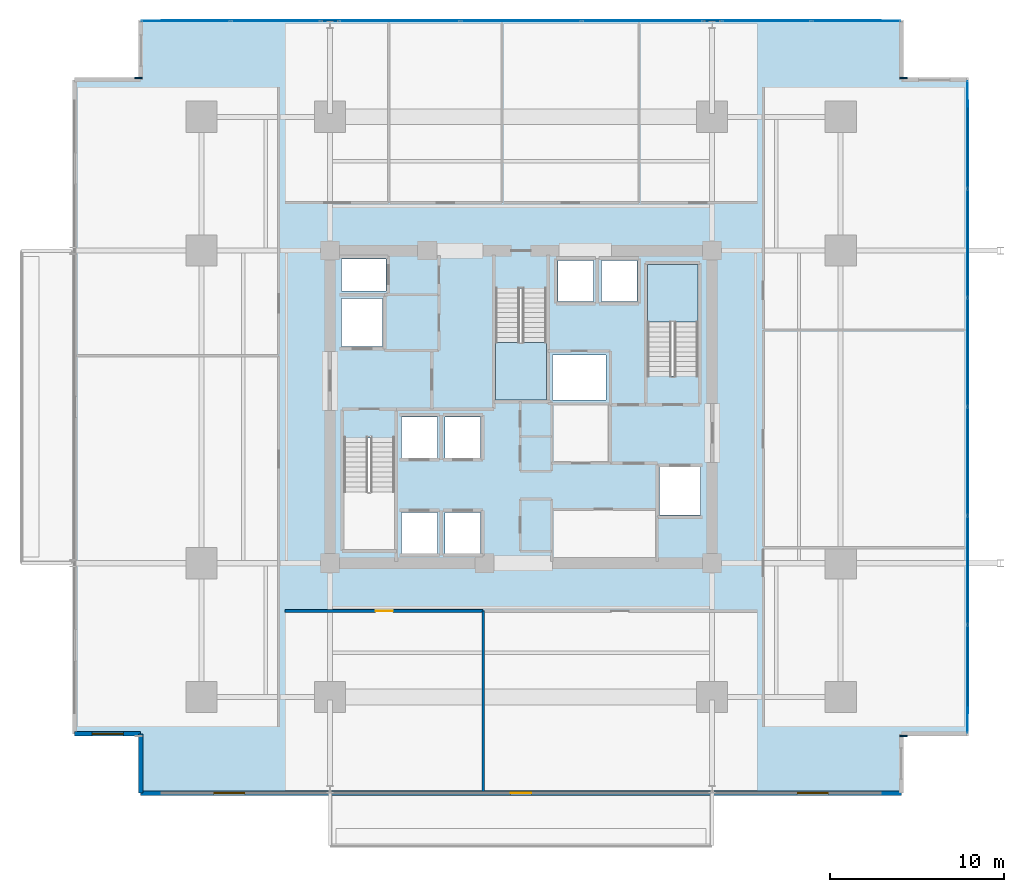
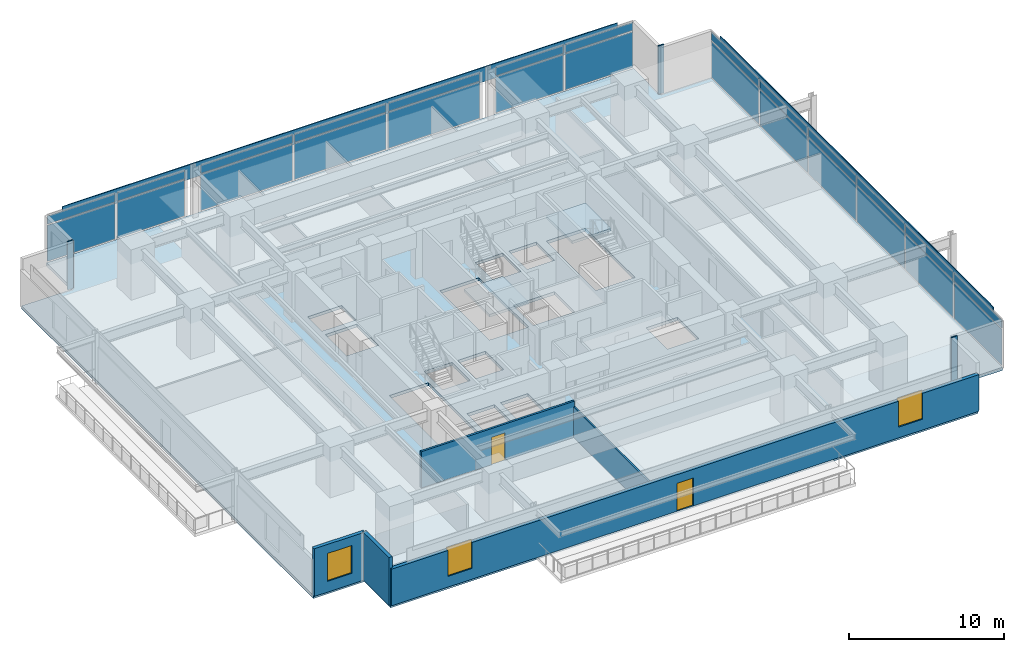
# One storey, part 14 of 23: 33 plates, 5 walls, 3 slabs, 3 windows, 2 doors, 5 openings, 6 elements without a shape of their own.
"""IFC4 building model written with IfcOpenShell, lengths in metres."""

from ifc_helpers import new_model, si_unit, direction, frame, frame_2d, origin, origin_2d, place, context, subcontext, project, spatial, polyline, rectangle, outline, extrude, material, layer, layer_set, type_object, element, fill, aggregate, save


model = new_model("IFC4")

# Units and contexts
model_context = context("Model", 3, precision=1e-05, world=origin(), true_north=direction((0.0, 1.0)))
body_context = subcontext(model_context, "Body", "Model", "MODEL_VIEW")
ifc_project = project(units=[si_unit("LENGTHUNIT", "METRE"), si_unit("AREAUNIT", "SQUARE_METRE"), si_unit("VOLUMEUNIT", "CUBIC_METRE"), si_unit("PLANEANGLEUNIT", "RADIAN"), si_unit("MASSUNIT", "GRAM", prefix="KILO")], contexts=[model_context])

# Site, building, storey
site_placement = place(None, origin())
site = spatial("IfcSite", under=ifc_project, at=site_placement, CompositionType="ELEMENT")
building_placement = place(site_placement, origin())
building = spatial("IfcBuilding", under=site, at=building_placement, Name="Kovane Verandah Tower", CompositionType="ELEMENT")
storey_placement = place(building_placement, frame((0.0, 0.0, 55.60009765625)))
storey = spatial("IfcBuildingStorey", under=building, at=storey_placement, Name="L12", CompositionType="ELEMENT", Elevation=55.60009765625)

# Curtain wall, plates
ifc_material_1 = material(Name="Champagne Anodised Aluminium Frame with Low-E Clear Laminated Glass", Category="aluminium")
curtain_wall_type = type_object("IfcCurtainWallType", Name="CW-SYS-02-LOW", PredefinedType="NOTDEFINED", material=ifc_material_1)
curtain_wall_1_placement = place(storey_placement, origin())
curtain_wall_1 = element("IfcCurtainWall", 1, at=curtain_wall_1_placement, inside=storey, type_object=curtain_wall_type, Name="L12 E Unitised Curtain Wall", PredefinedType="NOTDEFINED")
ifc_material_2 = material(Name="Pale Champagne Anodised Aluminium Insulated Spandrel", Category="aluminium")
ifc_layer_1 = layer(ifc_material_2, 0.0400390625)
ifc_layer_set_1 = layer_set([ifc_layer_1], Name="Pale Champagne Anodised Aluminium Insulated Spandrel")
plate_type_1 = type_object("IfcPlateType", Name="PL-CW-SPD-40", PredefinedType="SHEET", material=ifc_layer_set_1)
plate_1_placement = place(storey_placement, frame((65.696044921875, 11.810791015625, 3.02978515625), z_axis=(0.0, 0.0, 1.0), x_axis=(0.0, 1.0, 0.0)))
plate_1 = element("IfcPlate", 2, at=plate_1_placement, type_object=plate_type_1, Name="L12 E Unitised Curtain Wall Spandrel Panel 1", PredefinedType="SHEET", context=body_context, shape_type="SweptSolid", body=[
    extrude(rectangle(XDim=6.1357421875, YDim=0.0400390625, at=origin_2d()), origin(), (0.0, 0.0, 1.0), 0.639892578125),
])
plate_2_placement = place(storey_placement, frame((65.696044921875, 18.08642578125, 3.02978515625), z_axis=(0.0, 0.0, 1.0), x_axis=(0.0, 1.0, 0.0)))
plate_2 = element("IfcPlate", 3, at=plate_2_placement, type_object=plate_type_1, Name="L12 E Unitised Curtain Wall Spandrel Panel 2", PredefinedType="SHEET", context=body_context, shape_type="SweptSolid", body=[
    extrude(rectangle(XDim=6.1357421875, YDim=0.0400390625, at=origin_2d()), origin(), (0.0, 0.0, 1.0), 0.639892578125),
])
plate_3_placement = place(storey_placement, frame((65.696044921875, 24.362060546875, 3.02978515625), z_axis=(0.0, 0.0, 1.0), x_axis=(0.0, 1.0, 0.0)))
plate_3 = element("IfcPlate", 4, at=plate_3_placement, type_object=plate_type_1, Name="L12 E Unitised Curtain Wall Spandrel Panel 3", PredefinedType="SHEET", context=body_context, shape_type="SweptSolid", body=[
    extrude(rectangle(XDim=6.1357421875, YDim=0.0400390625, at=origin_2d()), origin(), (0.0, 0.0, 1.0), 0.639892578125),
])
plate_4_placement = place(storey_placement, frame((65.696044921875, 30.637939453125, 3.02978515625), z_axis=(0.0, 0.0, 1.0), x_axis=(0.0, 1.0, 0.0)))
plate_4 = element("IfcPlate", 5, at=plate_4_placement, type_object=plate_type_1, Name="L12 E Unitised Curtain Wall Spandrel Panel 4", PredefinedType="SHEET", context=body_context, shape_type="SweptSolid", body=[
    extrude(rectangle(XDim=6.1357421875, YDim=0.0400390625, at=origin_2d()), origin(), (0.0, 0.0, 1.0), 0.639892578125),
])
plate_5_placement = place(storey_placement, frame((65.696044921875, 36.91357421875, 3.02978515625), z_axis=(0.0, 0.0, 1.0), x_axis=(0.0, 1.0, 0.0)))
plate_5 = element("IfcPlate", 6, at=plate_5_placement, type_object=plate_type_1, Name="L12 E Unitised Curtain Wall Spandrel Panel 5", PredefinedType="SHEET", context=body_context, shape_type="SweptSolid", body=[
    extrude(rectangle(XDim=6.1357421875, YDim=0.0400390625, at=origin_2d()), origin(), (0.0, 0.0, 1.0), 0.639892578125),
])
plate_6_placement = place(storey_placement, frame((65.696044921875, 43.189208984375, 3.02978515625), z_axis=(0.0, 0.0, 1.0), x_axis=(0.0, 1.0, 0.0)))
plate_6 = element("IfcPlate", 7, at=plate_6_placement, type_object=plate_type_1, Name="L12 E Unitised Curtain Wall Spandrel Panel 6", PredefinedType="SHEET", context=body_context, shape_type="SweptSolid", body=[
    extrude(rectangle(XDim=6.1357421875, YDim=0.0400390625, at=origin_2d()), origin(), (0.0, 0.0, 1.0), 0.639892578125),
])

curtain_wall_2_placement = place(storey_placement, origin())
curtain_wall_2 = element("IfcCurtainWall", 8, at=curtain_wall_2_placement, inside=storey, type_object=curtain_wall_type, Name="L12 N Unitised Curtain Wall-1", PredefinedType="NOTDEFINED")
plate_7_placement = place(storey_placement, frame((59.302001953125, 49.727294921875, 3.02978515625), z_axis=(0.0, 0.0, 1.0), x_axis=(-1.0, 0.0, 0.0)))
plate_7 = element("IfcPlate", 9, at=plate_7_placement, type_object=plate_type_1, Name="L12 N Unitised Curtain Wall-1 Spandrel Panel 1", PredefinedType="SHEET", context=body_context, shape_type="SweptSolid", body=[
    extrude(rectangle(XDim=5.048095703125, YDim=0.0400390625, at=origin_2d()), origin(), (0.0, 0.0, 1.0), 0.639892578125),
])
plate_8_placement = place(storey_placement, frame((54.114013671875, 49.727294921875, 3.02978515625), z_axis=(0.0, 0.0, 1.0), x_axis=(-1.0, 0.0, 0.0)))
plate_8 = element("IfcPlate", 10, at=plate_8_placement, type_object=plate_type_1, Name="L12 N Unitised Curtain Wall-1 Spandrel Panel 2", PredefinedType="SHEET", context=body_context, shape_type="SweptSolid", body=[
    extrude(rectangle(XDim=5.048095703125, YDim=0.0400390625, at=origin_2d()), origin(), (0.0, 0.0, 1.0), 0.639892578125),
])

curtain_wall_3_placement = place(storey_placement, origin())
curtain_wall_3 = element("IfcCurtainWall", 11, at=curtain_wall_3_placement, inside=storey, type_object=curtain_wall_type, Name="L12 N Unitised Curtain Wall-2", PredefinedType="NOTDEFINED")
plate_9_placement = place(storey_placement, frame((46.98681640625, 49.727294921875, 3.02978515625), z_axis=(0.0, 0.0, 1.0), x_axis=(-1.0, 0.0, 0.0)))
plate_9 = element("IfcPlate", 12, at=plate_9_placement, type_object=plate_type_1, Name="L12 N Unitised Curtain Wall-2 Spandrel Panel 1", PredefinedType="SHEET", context=body_context, shape_type="SweptSolid", body=[
    extrude(rectangle(XDim=6.8466796875, YDim=0.0400390625, at=origin_2d()), origin(), (0.0, 0.0, 1.0), 0.639892578125),
])
plate_10_placement = place(storey_placement, frame((40.0, 49.727294921875, 3.02978515625), z_axis=(0.0, 0.0, 1.0), x_axis=(-1.0, 0.0, 0.0)))
plate_10 = element("IfcPlate", 13, at=plate_10_placement, type_object=plate_type_1, Name="L12 N Unitised Curtain Wall-2 Spandrel Panel 2", PredefinedType="SHEET", context=body_context, shape_type="SweptSolid", body=[
    extrude(rectangle(XDim=6.8466796875, YDim=0.0400390625, at=origin_2d()), origin(), (0.0, 0.0, 1.0), 0.639892578125),
])
plate_11_placement = place(storey_placement, frame((33.01318359375, 49.727294921875, 3.02978515625), z_axis=(0.0, 0.0, 1.0), x_axis=(-1.0, 0.0, 0.0)))
plate_11 = element("IfcPlate", 14, at=plate_11_placement, type_object=plate_type_1, Name="L12 N Unitised Curtain Wall-2 Spandrel Panel 3", PredefinedType="SHEET", context=body_context, shape_type="SweptSolid", body=[
    extrude(rectangle(XDim=6.8466796875, YDim=0.0400390625, at=origin_2d()), origin(), (0.0, 0.0, 1.0), 0.639892578125),
])

curtain_wall_4_placement = place(storey_placement, origin())
curtain_wall_4 = element("IfcCurtainWall", 15, at=curtain_wall_4_placement, inside=storey, type_object=curtain_wall_type, Name="L12 N Unitised Curtain Wall-3", PredefinedType="NOTDEFINED")
plate_12_placement = place(storey_placement, frame((25.885986328125, 49.727294921875, 3.02978515625), z_axis=(0.0, 0.0, 1.0), x_axis=(-1.0, 0.0, 0.0)))
plate_12 = element("IfcPlate", 16, at=plate_12_placement, type_object=plate_type_1, Name="L12 N Unitised Curtain Wall-3 Spandrel Panel 1", PredefinedType="SHEET", context=body_context, shape_type="SweptSolid", body=[
    extrude(rectangle(XDim=5.048095703125, YDim=0.0400390625, at=origin_2d()), origin(), (0.0, 0.0, 1.0), 0.639892578125),
])
plate_13_placement = place(storey_placement, frame((20.697998046875, 49.727294921875, 3.02978515625), z_axis=(0.0, 0.0, 1.0), x_axis=(-1.0, 0.0, 0.0)))
plate_13 = element("IfcPlate", 17, at=plate_13_placement, type_object=plate_type_1, Name="L12 N Unitised Curtain Wall-3 Spandrel Panel 2", PredefinedType="SHEET", context=body_context, shape_type="SweptSolid", body=[
    extrude(rectangle(XDim=5.048095703125, YDim=0.0400390625, at=origin_2d()), origin(), (0.0, 0.0, 1.0), 0.639892578125),
])

# Plate
ifc_material_3 = material(Name="Clear Low-E Laminated Double Glazing", Category="glass")
ifc_layer_2 = layer(ifc_material_3, 0.031982421875)
ifc_layer_set_2 = layer_set([ifc_layer_2], Name="Clear Low-E Laminated Double Glazing")
plate_type_2 = type_object("IfcPlateType", Name="PL-CW-VIS-32", PredefinedType="CURTAIN_PANEL", material=ifc_layer_set_2)
plate_14_placement = place(storey_placement, frame((65.696044921875, 11.810791015625, 0.099853515625), z_axis=(0.0, 0.0, 1.0), x_axis=(0.0, 1.0, 0.0)))
plate_14 = element("IfcPlate", 18, at=plate_14_placement, type_object=plate_type_2, Name="L12 E Unitised Curtain Wall Vision Panel 1", PredefinedType="CURTAIN_PANEL", context=body_context, shape_type="SweptSolid", body=[
    extrude(rectangle(XDim=6.1357421875, YDim=0.031982421875, at=origin_2d()), origin(), (0.0, 0.0, 1.0), 2.830078125),
])

plate_15_placement = place(storey_placement, frame((65.696044921875, 18.08642578125, 0.099853515625), z_axis=(0.0, 0.0, 1.0), x_axis=(0.0, 1.0, 0.0)))
plate_15 = element("IfcPlate", 19, at=plate_15_placement, type_object=plate_type_2, Name="L12 E Unitised Curtain Wall Vision Panel 2", PredefinedType="CURTAIN_PANEL", context=body_context, shape_type="SweptSolid", body=[
    extrude(rectangle(XDim=6.1357421875, YDim=0.031982421875, at=origin_2d()), origin(), (0.0, 0.0, 1.0), 2.830078125),
])

plate_16_placement = place(storey_placement, frame((65.696044921875, 24.362060546875, 0.099853515625), z_axis=(0.0, 0.0, 1.0), x_axis=(0.0, 1.0, 0.0)))
plate_16 = element("IfcPlate", 20, at=plate_16_placement, type_object=plate_type_2, Name="L12 E Unitised Curtain Wall Vision Panel 3", PredefinedType="CURTAIN_PANEL", context=body_context, shape_type="SweptSolid", body=[
    extrude(rectangle(XDim=6.1357421875, YDim=0.031982421875, at=origin_2d()), origin(), (0.0, 0.0, 1.0), 2.830078125),
])

plate_17_placement = place(storey_placement, frame((65.696044921875, 30.637939453125, 0.099853515625), z_axis=(0.0, 0.0, 1.0), x_axis=(0.0, 1.0, 0.0)))
plate_17 = element("IfcPlate", 21, at=plate_17_placement, type_object=plate_type_2, Name="L12 E Unitised Curtain Wall Vision Panel 4", PredefinedType="CURTAIN_PANEL", context=body_context, shape_type="SweptSolid", body=[
    extrude(rectangle(XDim=6.1357421875, YDim=0.031982421875, at=origin_2d()), origin(), (0.0, 0.0, 1.0), 2.830078125),
])

plate_18_placement = place(storey_placement, frame((65.696044921875, 36.91357421875, 0.099853515625), z_axis=(0.0, 0.0, 1.0), x_axis=(0.0, 1.0, 0.0)))
plate_18 = element("IfcPlate", 22, at=plate_18_placement, type_object=plate_type_2, Name="L12 E Unitised Curtain Wall Vision Panel 5", PredefinedType="CURTAIN_PANEL", context=body_context, shape_type="SweptSolid", body=[
    extrude(rectangle(XDim=6.1357421875, YDim=0.031982421875, at=origin_2d()), origin(), (0.0, 0.0, 1.0), 2.830078125),
])

plate_19_placement = place(storey_placement, frame((65.696044921875, 43.189208984375, 0.099853515625), z_axis=(0.0, 0.0, 1.0), x_axis=(0.0, 1.0, 0.0)))
plate_19 = element("IfcPlate", 23, at=plate_19_placement, type_object=plate_type_2, Name="L12 E Unitised Curtain Wall Vision Panel 6", PredefinedType="CURTAIN_PANEL", context=body_context, shape_type="SweptSolid", body=[
    extrude(rectangle(XDim=6.1357421875, YDim=0.031982421875, at=origin_2d()), origin(), (0.0, 0.0, 1.0), 2.830078125),
])

aggregate(curtain_wall_1, [plate_14, plate_1, plate_15, plate_2, plate_16, plate_3, plate_17, plate_4, plate_18, plate_5, plate_19, plate_6])

plate_20_placement = place(storey_placement, frame((59.302001953125, 49.727294921875, 0.099853515625), z_axis=(0.0, 0.0, 1.0), x_axis=(-1.0, 0.0, 0.0)))
plate_20 = element("IfcPlate", 24, at=plate_20_placement, type_object=plate_type_2, Name="L12 N Unitised Curtain Wall-1 Vision Panel 1", PredefinedType="CURTAIN_PANEL", context=body_context, shape_type="SweptSolid", body=[
    extrude(rectangle(XDim=5.048095703125, YDim=0.031982421875, at=origin_2d()), origin(), (0.0, 0.0, 1.0), 2.830078125),
])

plate_21_placement = place(storey_placement, frame((54.114013671875, 49.727294921875, 0.099853515625), z_axis=(0.0, 0.0, 1.0), x_axis=(-1.0, 0.0, 0.0)))
plate_21 = element("IfcPlate", 25, at=plate_21_placement, type_object=plate_type_2, Name="L12 N Unitised Curtain Wall-1 Vision Panel 2", PredefinedType="CURTAIN_PANEL", context=body_context, shape_type="SweptSolid", body=[
    extrude(rectangle(XDim=5.048095703125, YDim=0.031982421875, at=origin_2d()), origin(), (0.0, 0.0, 1.0), 2.830078125),
])

aggregate(curtain_wall_2, [plate_20, plate_7, plate_21, plate_8])

plate_22_placement = place(storey_placement, frame((46.98681640625, 49.727294921875, 0.099853515625), z_axis=(0.0, 0.0, 1.0), x_axis=(-1.0, 0.0, 0.0)))
plate_22 = element("IfcPlate", 26, at=plate_22_placement, type_object=plate_type_2, Name="L12 N Unitised Curtain Wall-2 Vision Panel 1", PredefinedType="CURTAIN_PANEL", context=body_context, shape_type="SweptSolid", body=[
    extrude(rectangle(XDim=6.8466796875, YDim=0.031982421875, at=origin_2d()), origin(), (0.0, 0.0, 1.0), 2.830078125),
])

plate_23_placement = place(storey_placement, frame((40.0, 49.727294921875, 0.099853515625), z_axis=(0.0, 0.0, 1.0), x_axis=(-1.0, 0.0, 0.0)))
plate_23 = element("IfcPlate", 27, at=plate_23_placement, type_object=plate_type_2, Name="L12 N Unitised Curtain Wall-2 Vision Panel 2", PredefinedType="CURTAIN_PANEL", context=body_context, shape_type="SweptSolid", body=[
    extrude(rectangle(XDim=6.8466796875, YDim=0.031982421875, at=origin_2d()), origin(), (0.0, 0.0, 1.0), 2.830078125),
])

plate_24_placement = place(storey_placement, frame((33.01318359375, 49.727294921875, 0.099853515625), z_axis=(0.0, 0.0, 1.0), x_axis=(-1.0, 0.0, 0.0)))
plate_24 = element("IfcPlate", 28, at=plate_24_placement, type_object=plate_type_2, Name="L12 N Unitised Curtain Wall-2 Vision Panel 3", PredefinedType="CURTAIN_PANEL", context=body_context, shape_type="SweptSolid", body=[
    extrude(rectangle(XDim=6.8466796875, YDim=0.031982421875, at=origin_2d()), origin(), (0.0, 0.0, 1.0), 2.830078125),
])

aggregate(curtain_wall_3, [plate_22, plate_9, plate_23, plate_10, plate_24, plate_11])

plate_25_placement = place(storey_placement, frame((25.885986328125, 49.727294921875, 0.099853515625), z_axis=(0.0, 0.0, 1.0), x_axis=(-1.0, 0.0, 0.0)))
plate_25 = element("IfcPlate", 29, at=plate_25_placement, type_object=plate_type_2, Name="L12 N Unitised Curtain Wall-3 Vision Panel 1", PredefinedType="CURTAIN_PANEL", context=body_context, shape_type="SweptSolid", body=[
    extrude(rectangle(XDim=5.048095703125, YDim=0.031982421875, at=origin_2d()), origin(), (0.0, 0.0, 1.0), 2.830078125),
])

plate_26_placement = place(storey_placement, frame((20.697998046875, 49.727294921875, 0.099853515625), z_axis=(0.0, 0.0, 1.0), x_axis=(-1.0, 0.0, 0.0)))
plate_26 = element("IfcPlate", 30, at=plate_26_placement, type_object=plate_type_2, Name="L12 N Unitised Curtain Wall-3 Vision Panel 2", PredefinedType="CURTAIN_PANEL", context=body_context, shape_type="SweptSolid", body=[
    extrude(rectangle(XDim=5.048095703125, YDim=0.031982421875, at=origin_2d()), origin(), (0.0, 0.0, 1.0), 2.830078125),
])

aggregate(curtain_wall_4, [plate_25, plate_12, plate_26, plate_13])

# Plates
ifc_material_4 = material(Name="Timber-Toned Subtropical Aluminium Vertical Blade", Category="wood")
ifc_layer_3 = layer(ifc_material_4, 0.090087890625)
ifc_layer_set_3 = layer_set([ifc_layer_3], Name="Timber-Toned Subtropical Aluminium Vertical Blade")
plate_type_3 = type_object("IfcPlateType", Name="PL-FIN-90", PredefinedType="USERDEFINED", material=ifc_layer_set_3)
for number, where, z_axis, x_axis, name in (
    (31, (62.01611328125, 8.552734375, -0.02001953125), (0.0, 0.0, 1.0), (1.0, 0.0, 0.0), "L12 SE Timber-Toned Vertical Corner Fin"),
    (32, (62.01611328125, 46.447265625, -0.02001953125), (0.0, 0.0, 1.0), (1.0, 0.0, 0.0), "L12 NE Timber-Toned Vertical Corner Fin"),
    (33, (17.98388671875, 46.447265625, -0.02001953125), (0.0, 0.0, 1.0), (1.0, 0.0, 0.0), "L12 NW Timber-Toned Vertical Corner Fin"),
):
    element("IfcPlate", number, at=place(storey_placement, frame(where, z_axis=z_axis, x_axis=x_axis)), inside=storey, type_object=plate_type_3, Name=name, ObjectType="FIN", PredefinedType="USERDEFINED", context=body_context, shape_type="SweptSolid", body=[
        extrude(rectangle(XDim=0.419921875, YDim=0.090087890625, at=origin_2d()), origin(), (0.0, 0.0, 1.0), 3.820068359375),
    ])
ifc_material_5 = material(Name="Perforated Pale Champagne Anodised Aluminium Solar Screen", Category="aluminium")
ifc_layer_4 = layer(ifc_material_5, 0.050048828125)
ifc_layer_set_4 = layer_set([ifc_layer_4], Name="Perforated Pale Champagne Anodised Aluminium Solar Screen")
plate_type_4 = type_object("IfcPlateType", Name="PL-SCREEN-50", PredefinedType="USERDEFINED", material=ifc_layer_set_4)
plate_27_placement = place(storey_placement, frame((65.7109375, 27.5, 2.85986328125), z_axis=(0.0, 0.0, 1.0), x_axis=(0.0, 1.0, 0.0)))
element("IfcPlate", 34, at=plate_27_placement, inside=storey, type_object=plate_type_4, Name="L12 E Perforated Champagne-Gold Solar Screen", ObjectType="SCREEN", PredefinedType="USERDEFINED", context=body_context, shape_type="SweptSolid", body=[
    extrude(rectangle(XDim=35.25390625, YDim=0.050048828125, at=origin_2d()), origin(), (0.0, 0.0, 1.0), 1.14990234375),
])
plate_28_placement = place(storey_placement, frame((40.0, 49.7421875, 2.85986328125), z_axis=(0.0, 0.0, 1.0), x_axis=(-1.0, 0.0, 0.0)))
element("IfcPlate", 35, at=plate_28_placement, inside=storey, type_object=plate_type_4, Name="L12 N Perforated Champagne-Gold Solar Screen", ObjectType="SCREEN", PredefinedType="USERDEFINED", context=body_context, shape_type="SweptSolid", body=[
    extrude(rectangle(XDim=41.39208984375, YDim=0.050048828125, at=origin_2d()), origin(), (0.0, 0.0, 1.0), 1.14990234375),
])
ifc_material_6 = material(Name="Extruded Pale-Bronze Aluminium Aerofoil Sunshade", Category="aluminium")
ifc_layer_5 = layer(ifc_material_6, 0.06005859375)
ifc_layer_set_5 = layer_set([ifc_layer_5], Name="Extruded Pale-Bronze Aluminium Aerofoil Sunshade")
plate_type_5 = type_object("IfcPlateType", Name="PL-SUNSHADE-60", PredefinedType="USERDEFINED", material=ifc_layer_set_5)
plate_29_placement = place(storey_placement, frame((65.716064453125, 27.5, 3.73974609375), z_axis=(0.0, 0.0, 1.0), x_axis=(0.0, 1.0, 0.0)))
element("IfcPlate", 36, at=plate_29_placement, inside=storey, type_object=plate_type_5, Name="L12 E Subtropical Aerofoil Sunshade", ObjectType="SUNSHADE", PredefinedType="USERDEFINED", context=body_context, shape_type="SweptSolid", body=[
    extrude(rectangle(XDim=34.4541015625, YDim=0.06005859375, at=origin_2d()), origin(), (0.0, 0.0, 1.0), 0.280029296875),
])
plate_30_placement = place(storey_placement, frame((40.0, 49.747314453125, 3.73974609375), z_axis=(0.0, 0.0, 1.0), x_axis=(-1.0, 0.0, 0.0)))
element("IfcPlate", 37, at=plate_30_placement, inside=storey, type_object=plate_type_5, Name="L12 N Subtropical Aerofoil Sunshade", ObjectType="SUNSHADE", PredefinedType="USERDEFINED", context=body_context, shape_type="SweptSolid", body=[
    extrude(rectangle(XDim=40.592041015625, YDim=0.06005859375, at=origin_2d()), origin(), (0.0, 0.0, 1.0), 0.280029296875),
])

# Stair, slab
ifc_material_7 = material(Name="Concrete C45/55", Category="concrete")
stair_type = type_object("IfcStairType", Name="ST-CORE-1380", PredefinedType="HALF_TURN_STAIR", material=ifc_material_7)
stair_1_placement = place(storey_placement, origin())
stair_1 = element("IfcStair", 38, at=stair_1_placement, inside=storey, type_object=stair_type, Name="L12 Exit Stair ST-02", PredefinedType="HALF_TURN_STAIR")
ifc_layer_6 = layer(ifc_material_7, 0.199951171875)
ifc_layer_set_6 = layer_set([ifc_layer_6], Name="Concrete C45/55")
slab_type_1 = type_object("IfcSlabType", Name="SL-LAND-200", PredefinedType="LANDING", material=ifc_layer_set_6)
slab_1_placement = place(storey_placement, frame((0.0, 0.0, 1.7998046875)))
slab_1 = element("IfcSlab", 39, at=slab_1_placement, type_object=slab_type_1, Name="ST-02 landing 1", PredefinedType="LANDING", context=body_context, shape_type="SweptSolid", body=[
    extrude(outline(polyline([(50.199951171875, 32.385009765625), (50.199951171875, 35.699951171875), (47.280029296875, 35.699951171875), (47.280029296875, 32.385009765625), (50.199951171875, 32.385009765625)])), origin(), (0.0, 0.0, 1.0), 0.2001953125),
])
aggregate(stair_1, [slab_1])

stair_2_placement = place(storey_placement, origin())
stair_2 = element("IfcStair", 40, at=stair_2_placement, inside=storey, type_object=stair_type, Name="L12 Exit Stair ST-03", PredefinedType="HALF_TURN_STAIR")
slab_2_placement = place(storey_placement, frame((0.0, 0.0, 1.7998046875)))
slab_2 = element("IfcSlab", 41, at=slab_2_placement, type_object=slab_type_1, Name="ST-03 landing 1", PredefinedType="LANDING", context=body_context, shape_type="SweptSolid", body=[
    extrude(outline(polyline([(38.5400390625, 31.215087890625), (38.5400390625, 27.89990234375), (41.4599609375, 27.89990234375), (41.4599609375, 31.215087890625), (38.5400390625, 31.215087890625)])), origin(), (0.0, 0.0, 1.0), 0.2001953125),
])
aggregate(stair_2, [slab_2])

# Slab
ifc_layer_7 = layer(ifc_material_7, 0.239990234375)
ifc_layer_set_7 = layer_set([ifc_layer_7], Name="Concrete C45/55")
slab_type_2 = type_object("IfcSlabType", Name="SL-TYP-240", PredefinedType="FLOOR", material=ifc_layer_set_7)
slab_3_placement = place(storey_placement, frame((0.0, 0.0, -0.239990234375)))
element("IfcSlab", 42, at=slab_3_placement, inside=storey, type_object=slab_type_2, Name="L12 Structural Floor Slab", PredefinedType="FLOOR", context=body_context, shape_type="SweptSolid", body=[
    extrude(outline(polyline([(18.10400390625, 5.272705078125), (61.89599609375, 5.272705078125), (61.89599609375, 8.6728515625), (65.696044921875, 8.6728515625), (65.696044921875, 46.3271484375), (61.89599609375, 46.3271484375), (61.89599609375, 49.727294921875), (18.10400390625, 49.727294921875), (18.10400390625, 46.3271484375), (14.303955078125, 46.3271484375), (14.303955078125, 8.6728515625), (18.10400390625, 8.6728515625), (18.10400390625, 5.272705078125)]), holes=[polyline([(29.800048828125, 19.300048828125), (32.719970703125, 19.300048828125), (32.719970703125, 25.705078125), (29.800048828125, 25.705078125), (29.800048828125, 19.300048828125)]), polyline([(47.280029296875, 29.294921875), (50.199951171875, 29.294921875), (50.199951171875, 35.699951171875), (47.280029296875, 35.699951171875), (47.280029296875, 29.294921875)]), polyline([(38.5400390625, 27.89990234375), (41.4599609375, 27.89990234375), (41.4599609375, 34.304931640625), (38.5400390625, 34.304931640625), (38.5400390625, 27.89990234375)]), polyline([(29.669921875, 30.969970703125), (32.030029296875, 30.969970703125), (32.030029296875, 33.72998046875), (29.669921875, 33.72998046875), (29.669921875, 30.969970703125)]), polyline([(47.969970703125, 21.27001953125), (50.330078125, 21.27001953125), (50.330078125, 24.030029296875), (47.969970703125, 24.030029296875), (47.969970703125, 21.27001953125)]), polyline([(29.669921875, 34.169921875), (32.22998046875, 34.169921875), (32.22998046875, 36.030029296875), (29.669921875, 36.030029296875), (29.669921875, 34.169921875)]), polyline([(33.1201171875, 19.070068359375), (35.179931640625, 19.070068359375), (35.179931640625, 21.429931640625), (33.1201171875, 21.429931640625), (33.1201171875, 19.070068359375)]), polyline([(35.6201171875, 19.070068359375), (37.679931640625, 19.070068359375), (37.679931640625, 21.429931640625), (35.6201171875, 21.429931640625), (35.6201171875, 19.070068359375)]), polyline([(33.1201171875, 24.570068359375), (35.179931640625, 24.570068359375), (35.179931640625, 26.929931640625), (33.1201171875, 26.929931640625), (33.1201171875, 24.570068359375)]), polyline([(35.6201171875, 24.570068359375), (37.679931640625, 24.570068359375), (37.679931640625, 26.929931640625), (35.6201171875, 26.929931640625), (35.6201171875, 24.570068359375)]), polyline([(42.1201171875, 33.570068359375), (44.179931640625, 33.570068359375), (44.179931640625, 35.929931640625), (42.1201171875, 35.929931640625), (42.1201171875, 33.570068359375)]), polyline([(44.6201171875, 33.570068359375), (46.679931640625, 33.570068359375), (46.679931640625, 35.929931640625), (44.6201171875, 35.929931640625), (44.6201171875, 33.570068359375)]), polyline([(41.800048828125, 27.89990234375), (44.89990234375, 27.89990234375), (44.89990234375, 30.5), (41.800048828125, 30.5), (41.800048828125, 27.89990234375)])]), origin(), (0.0, 0.0, 1.0), 0.239990234375),
])

# Wall, opening, door
ifc_material_8 = material(Name="Fire-Rated Gypsum Stud Partition", Category="gypsum")
ifc_layer_8 = layer(ifc_material_8, 0.14990234375)
ifc_layer_set_8 = layer_set([ifc_layer_8], Name="Fire-Rated Gypsum Stud Partition")
wall_type_1 = type_object("IfcWallType", Name="WL-COR-150", PredefinedType="PARTITIONING", material=ifc_layer_set_8)
wall_1_placement = place(storey_placement, frame((26.39990234375, 15.75, 0.0), z_axis=(0.0, 0.0, 1.0), x_axis=(1.0, 0.0, 0.0)))
wall_1 = element("IfcWall", 43, at=wall_1_placement, inside=storey, type_object=wall_type_1, Name="L12 Collaboration Hub S1 Corridor Partition", PredefinedType="PARTITIONING", context=body_context, shape_type="SweptSolid", body=[
    extrude(rectangle(XDim=11.424072265625, YDim=0.14990234375, at=frame_2d((5.7119140625, 0.0))), origin(), (0.0, 0.0, 1.0), 2.849853515625),
])
opening_1_placement = place(wall_1_placement, frame((5.22705078125, 0.0, 0.0)))
opening_1 = element("IfcOpeningElement", 44, at=opening_1_placement, cuts=wall_1, Name="Opening DR-L12-022", PredefinedType="OPENING", context=body_context, shape_type="SweptSolid", body=[
    extrude(rectangle(XDim=1.0, YDim=2.14990234375, at=frame_2d((0.5, 1.074951171875))), frame((0.0, 0.074951171875, 0.0), z_axis=(0.0, -1.0, 0.0), x_axis=(1.0, 0.0, 0.0)), (0.0, 0.0, 1.0), 0.14990234375),
])
ifc_material_9 = material(Name="FSC Spotted-Gum Timber Fire-Rated Office Door", Category="wood")
door_type_1 = type_object("IfcDoorType", Name="DR-OFF-1000", OperationType="SINGLE_SWING_LEFT", PredefinedType="DOOR", material=ifc_material_9)
door_1_placement = place(opening_1_placement, origin())
door_1 = element("IfcDoor", 45, at=door_1_placement, inside=storey, type_object=door_type_1, Name="L12 Collaboration Hub S1 Entrance Door", OperationType="SINGLE_SWING_LEFT", OverallHeight=2.14990234375, OverallWidth=1.0, PredefinedType="DOOR", context=body_context, shape_type="SweptSolid", body=[
    extrude(rectangle(XDim=1.0, YDim=2.14990234375, at=frame_2d((0.5, 1.074951171875))), frame((0.0, 0.02490234375, 0.0), z_axis=(0.0, -1.0, 0.0), x_axis=(1.0, 0.0, 0.0)), (0.0, 0.0, 1.0), 0.050048828125),
])
fill(opening_1, door_1)

# Wall
ifc_material_10 = material(Name="Acoustic Fire-Rated Gypsum Partition", Category="gypsum")
ifc_layer_9 = layer(ifc_material_10, 0.1201171875)
ifc_layer_set_9 = layer_set([ifc_layer_9], Name="Acoustic Fire-Rated Gypsum Partition")
wall_type_2 = type_object("IfcWallType", Name="WL-PART-120", PredefinedType="PARTITIONING", material=ifc_layer_set_9)
wall_2_placement = place(storey_placement, frame((37.823974609375, 5.372802734375, 0.0), z_axis=(0.0, 0.0, 1.0), x_axis=(0.0, 1.0, 0.0)))
element("IfcWall", 46, at=wall_2_placement, inside=storey, type_object=wall_type_2, Name="L12 Collaboration Hub S1 Dividing Partition", PredefinedType="PARTITIONING", context=body_context, shape_type="SweptSolid", body=[
    extrude(rectangle(XDim=10.377197265625, YDim=0.1201171875, at=frame_2d((5.1884765625, 0.0))), origin(), (0.0, 0.0, 1.0), 2.389892578125),
])

# Wall, openings, door, windows
ifc_material_11 = material(Name="Concrete C45/55 Insulated Spandrel Wall", Category="concrete")
ifc_layer_10 = layer(ifc_material_11, 0.260009765625)
ifc_layer_set_10 = layer_set([ifc_layer_10], Name="Concrete C45/55 Insulated Spandrel Wall")
wall_type_3 = type_object("IfcWallType", Name="WL-SPANDREL-260", PredefinedType="PARAPET", material=ifc_layer_set_10)
wall_3_placement = place(storey_placement, frame((18.10400390625, 5.272705078125, 0.0), z_axis=(0.0, 0.0, 1.0), x_axis=(1.0, 0.0, 0.0)))
wall_3 = element("IfcWall", 47, at=wall_3_placement, inside=storey, type_object=wall_type_3, Name="L12 S Verandah Access Facade Wall", PredefinedType="PARAPET", context=body_context, shape_type="SweptSolid", body=[
    extrude(rectangle(XDim=43.7919921875, YDim=0.260009765625, at=frame_2d((21.89599609375, 0.0))), origin(), (0.0, 0.0, 1.0), 2.88916015625),
])
opening_2_placement = place(wall_3_placement, frame((4.199951171875, 0.0, 0.85009765625)))
opening_2 = element("IfcOpeningElement", 48, at=opening_2_placement, cuts=wall_3, Name="Opening W-03", PredefinedType="OPENING", context=body_context, shape_type="SweptSolid", body=[
    extrude(rectangle(XDim=1.800048828125, YDim=2.199951171875, at=frame_2d((0.89990234375, 1.10009765625))), frame((0.0, 0.1298828125, 0.0), z_axis=(0.0, -1.0, 0.0), x_axis=(1.0, 0.0, 0.0)), (0.0, 0.0, 1.0), 0.260009765625),
])
opening_3_placement = place(wall_3_placement, frame((21.2958984375, 0.0, 0.0)))
opening_3 = element("IfcOpeningElement", 49, at=opening_3_placement, cuts=wall_3, Name="Opening DR-L12-001", PredefinedType="OPENING", context=body_context, shape_type="SweptSolid", body=[
    extrude(rectangle(XDim=1.199951171875, YDim=2.199951171875, at=frame_2d((0.60009765625, 1.10009765625))), frame((0.0, 0.1298828125, 0.0), z_axis=(0.0, -1.0, 0.0), x_axis=(1.0, 0.0, 0.0)), (0.0, 0.0, 1.0), 0.260009765625),
])
opening_4_placement = place(wall_3_placement, frame((37.7919921875, 0.0, 0.85009765625)))
opening_4 = element("IfcOpeningElement", 50, at=opening_4_placement, cuts=wall_3, Name="Opening W-03", PredefinedType="OPENING", context=body_context, shape_type="SweptSolid", body=[
    extrude(rectangle(XDim=1.800048828125, YDim=2.199951171875, at=frame_2d((0.89990234375, 1.10009765625))), frame((0.0, 0.1298828125, 0.0), z_axis=(0.0, -1.0, 0.0), x_axis=(1.0, 0.0, 0.0)), (0.0, 0.0, 1.0), 0.260009765625),
])
ifc_material_12 = material(Name="Cyclone-Rated Glazed Balcony Leaf Door", Category="aluminium")
door_type_2 = type_object("IfcDoorType", Name="DR-BAL-1200x2200", OperationType="SINGLE_SWING_LEFT", PredefinedType="DOOR", material=ifc_material_12)
door_2_placement = place(opening_3_placement, origin())
door_2 = element("IfcDoor", 51, at=door_2_placement, inside=storey, type_object=door_type_2, Name="L12 S Planted Balcony Access Door", OperationType="SINGLE_SWING_LEFT", OverallHeight=2.199951171875, OverallWidth=1.199951171875, PredefinedType="DOOR", context=body_context, shape_type="SweptSolid", body=[
    extrude(rectangle(XDim=1.199951171875, YDim=2.199951171875, at=frame_2d((0.60009765625, 1.10009765625))), frame((0.0, 0.02490234375, 0.0), z_axis=(0.0, -1.0, 0.0), x_axis=(1.0, 0.0, 0.0)), (0.0, 0.0, 1.0), 0.050048828125),
])
fill(opening_3, door_2)
ifc_material_13 = material(Name="Clear Low-E Laminated Double Glazing in Anodised Frame", Category="glass")
window_type = type_object("IfcWindowType", Name="WN-NOTCH-1800x2200", PartitioningType="SINGLE_PANEL", PredefinedType="WINDOW", material=ifc_material_13)
window_1_placement = place(opening_2_placement, origin())
window_1 = element("IfcWindow", 52, at=window_1_placement, inside=storey, type_object=window_type, Name="L12 S Verandah View Window 1", OverallHeight=2.199951171875, OverallWidth=1.800048828125, PartitioningType="SINGLE_PANEL", PredefinedType="WINDOW", context=body_context, shape_type="SweptSolid", body=[
    extrude(rectangle(XDim=1.800048828125, YDim=2.199951171875, at=frame_2d((0.89990234375, 1.10009765625))), frame((0.0, 0.030029296875, 0.0), z_axis=(0.0, -1.0, 0.0), x_axis=(1.0, 0.0, 0.0)), (0.0, 0.0, 1.0), 0.06005859375),
])
fill(opening_2, window_1)
window_2_placement = place(opening_4_placement, origin())
window_2 = element("IfcWindow", 53, at=window_2_placement, inside=storey, type_object=window_type, Name="L12 S Verandah View Window 2", OverallHeight=2.199951171875, OverallWidth=1.800048828125, PartitioningType="SINGLE_PANEL", PredefinedType="WINDOW", context=body_context, shape_type="SweptSolid", body=[
    extrude(rectangle(XDim=1.800048828125, YDim=2.199951171875, at=frame_2d((0.89990234375, 1.10009765625))), frame((0.0, 0.030029296875, 0.0), z_axis=(0.0, -1.0, 0.0), x_axis=(1.0, 0.0, 0.0)), (0.0, 0.0, 1.0), 0.06005859375),
])
fill(opening_4, window_2)

# Wall, opening, window
wall_4_placement = place(storey_placement, frame((14.303955078125, 8.6728515625, 0.0), z_axis=(0.0, 0.0, 1.0), x_axis=(1.0, 0.0, 0.0)))
wall_4 = element("IfcWall", 54, at=wall_4_placement, inside=storey, type_object=wall_type_3, Name="L12 SW Notch Cheek Wall 1", PredefinedType="PARAPET", context=body_context, shape_type="SweptSolid", body=[
    extrude(rectangle(XDim=3.800048828125, YDim=0.260009765625, at=frame_2d((1.89990234375, 0.0))), origin(), (0.0, 0.0, 1.0), 3.760009765625),
])
opening_5_placement = place(wall_4_placement, frame((1.0, 0.0, 0.85009765625)))
opening_5 = element("IfcOpeningElement", 55, at=opening_5_placement, cuts=wall_4, Name="Opening W-03", PredefinedType="OPENING", context=body_context, shape_type="SweptSolid", body=[
    extrude(rectangle(XDim=1.800048828125, YDim=2.199951171875, at=frame_2d((0.89990234375, 1.10009765625))), frame((0.0, 0.1298828125, 0.0), z_axis=(0.0, -1.0, 0.0), x_axis=(1.0, 0.0, 0.0)), (0.0, 0.0, 1.0), 0.260009765625),
])
window_3_placement = place(opening_5_placement, origin())
window_3 = element("IfcWindow", 56, at=window_3_placement, inside=storey, type_object=window_type, Name="L12 SW Re-Entrant Corner Operable Window", OverallHeight=2.199951171875, OverallWidth=1.800048828125, PartitioningType="SINGLE_PANEL", PredefinedType="WINDOW", context=body_context, shape_type="SweptSolid", body=[
    extrude(rectangle(XDim=1.800048828125, YDim=2.199951171875, at=frame_2d((0.89990234375, 1.10009765625))), frame((0.0, 0.030029296875, 0.0), z_axis=(0.0, -1.0, 0.0), x_axis=(1.0, 0.0, 0.0)), (0.0, 0.0, 1.0), 0.06005859375),
])
fill(opening_5, window_3)

# Wall
wall_5_placement = place(storey_placement, frame((18.10400390625, 8.6728515625, 0.0), z_axis=(0.0, 0.0, 1.0), x_axis=(0.0, -1.0, 0.0)))
element("IfcWall", 57, at=wall_5_placement, inside=storey, type_object=wall_type_3, Name="L12 SW Notch Cheek Wall 2", PredefinedType="PARAPET", context=body_context, shape_type="SweptSolid", body=[
    extrude(rectangle(XDim=3.400146484375, YDim=0.260009765625, at=frame_2d((1.7001953125, 0.0))), origin(), (0.0, 0.0, 1.0), 3.760009765625),
])

save(model, "model.ifc")
